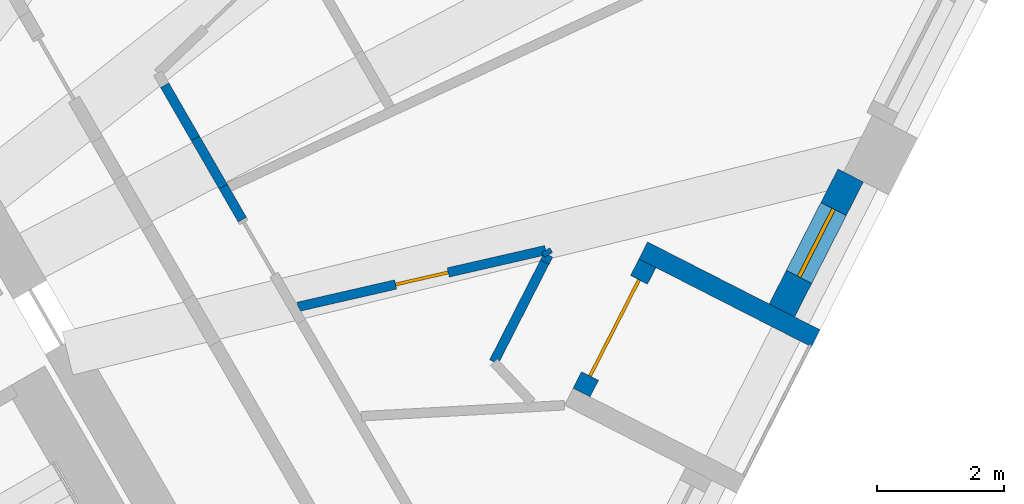
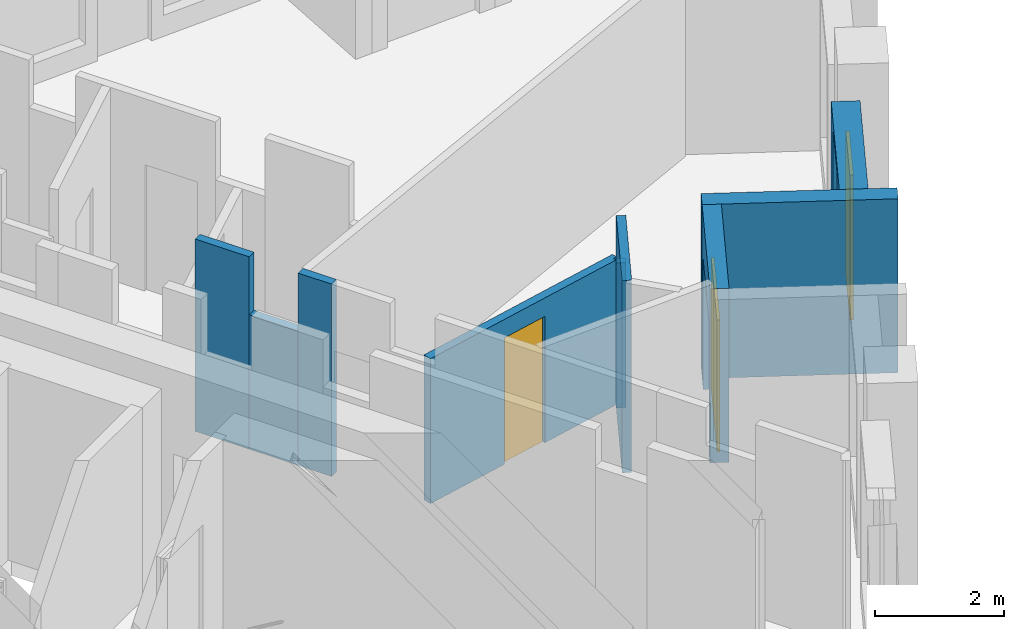
# One storey, part 6 of 13: 10 walls, 2 doors, 1 window, 3 openings.
"""IFC4 building model written with IfcOpenShell, lengths in metres."""

from ifc_helpers import new_model, si_unit, direction, frame, frame_2d, origin, place, context, subcontext, project, spatial, rectangle, extrude, material, layer, layer_set, type_object, element, fill, save


model = new_model("IFC4")

# Units and contexts
model_context = context("Model", 3, precision=1e-05, world=origin(), true_north=direction((0.0, 1.0)))
body_context = subcontext(model_context, "Body", "Model", "MODEL_VIEW")
ifc_project = project(units=[si_unit("LENGTHUNIT", "METRE"), si_unit("AREAUNIT", "SQUARE_METRE"), si_unit("VOLUMEUNIT", "CUBIC_METRE"), si_unit("PLANEANGLEUNIT", "RADIAN"), si_unit("MASSUNIT", "GRAM", prefix="KILO")], contexts=[model_context])

# Site, building, storey
site_placement = place(None, origin())
site = spatial("IfcSite", under=ifc_project, at=site_placement, CompositionType="ELEMENT")
building_placement = place(site_placement, origin())
building = spatial("IfcBuilding", under=site, at=building_placement, Name="Tramontana Tower", CompositionType="ELEMENT")
storey_placement = place(building_placement, frame((0.0, 0.0, 290.39990234375)))
storey = spatial("IfcBuildingStorey", under=building, at=storey_placement, Name="L68", CompositionType="ELEMENT", Elevation=290.39990234375)

# Wall, opening, window
ifc_material_1 = material(Name="Precast concrete 60 MPa", Category="concrete")
ifc_layer_1 = layer(ifc_material_1, 0.449951171875)
ifc_layer_set_1 = layer_set([ifc_layer_1], Name="Precast concrete 60 MPa, 450 mm")
wall_type_1 = type_object("IfcWallType", Name="EW1 Stone-faced precast wall 450", PredefinedType="SOLIDWALL", material=ifc_layer_set_1)
wall_1_placement = place(storey_placement, frame((17.796142578125, 2.27197265625, 0.0), z_axis=(0.0, 0.0, 1.0), x_axis=(0.453951830128, 0.891026226283, 0.0)))
wall_1 = element("IfcWall", 1, at=wall_1_placement, inside=storey, type_object=wall_type_1, Name="External wall L68 face 1 bay 4", PredefinedType="SOLIDWALL", context=body_context, shape_type="SweptSolid", body=[
    extrude(rectangle(XDim=2.38671875, YDim=0.449951171875, at=frame_2d((1.193359375, 0.0))), origin(), (0.0, 0.0, 1.0), 3.300048828125),
])
opening_1_placement = place(wall_1_placement, frame((0.59326171875, 0.0, 0.39990234375)))
opening_1 = element("IfcOpeningElement", 2, at=opening_1_placement, cuts=wall_1, Name="Opening N3", PredefinedType="OPENING", context=body_context, shape_type="SweptSolid", body=[
    extrude(rectangle(XDim=1.199951171875, YDim=2.75, at=frame_2d((0.60009765625, 1.375))), frame((0.0, 0.23486328125, 0.0), z_axis=(0.0, -1.0, 0.0), x_axis=(1.0, 0.0, 0.0)), (0.0, 0.0, 1.0), 0.469970703125),
])
ifc_material_2 = material(Name="Aluminum frame, double glazing unit", Category="aluminium")
window_type = type_object("IfcWindowType", Name="N3 Window 1.2 x 2.75", PartitioningType="SINGLE_PANEL", PredefinedType="WINDOW", material=ifc_material_2)
window_placement = place(opening_1_placement, origin())
window = element("IfcWindow", 3, at=window_placement, inside=storey, type_object=window_type, Name="Window N3 L68 face 1 module 12", OverallHeight=2.75, OverallWidth=1.199951171875, PartitioningType="SINGLE_PANEL", PredefinedType="WINDOW", context=body_context, shape_type="SweptSolid", body=[
    extrude(rectangle(XDim=1.199951171875, YDim=2.75, at=frame_2d((0.60009765625, 1.375))), frame((0.0, 0.030029296875, 0.0), z_axis=(0.0, -1.0, 0.0), x_axis=(1.0, 0.0, 0.0)), (0.0, 0.0, 1.0), 0.06005859375),
])
fill(opening_1, window)

# Wall, opening, door
ifc_material_3 = material(Name="Precast concrete 60 MPa", Category="concrete")
ifc_layer_2 = layer(ifc_material_3, 0.300048828125)
ifc_layer_set_2 = layer_set([ifc_layer_2], Name="LW1 Stone-faced loggia wall 300")
wall_type_2 = type_object("IfcWallType", Name="LW1 Stone-faced loggia wall 300", PredefinedType="SOLIDWALL", material=ifc_layer_set_2)
wall_2_placement = place(storey_placement, frame((14.63916015625, 0.977294921875, 0.0), z_axis=(0.0, 0.0, 1.0), x_axis=(0.45403292632, 0.890984905494, 0.0)))
wall_2 = element("IfcWall", 4, at=wall_2_placement, inside=storey, type_object=wall_type_2, Name="Loggia wall L68 G7S1.10", PredefinedType="SOLIDWALL", context=body_context, shape_type="SweptSolid", body=[
    extrude(rectangle(XDim=2.286865234375, YDim=0.300048828125, at=frame_2d((1.1435546875, 0.0))), origin(), (0.0, 0.0, 1.0), 3.300048828125),
])
opening_2_placement = place(wall_2_placement, frame((0.29345703125, 0.0, 0.0)))
opening_2 = element("IfcOpeningElement", 5, at=opening_2_placement, cuts=wall_2, Name="Opening BD-7S1-10", PredefinedType="OPENING", context=body_context, shape_type="SweptSolid", body=[
    extrude(rectangle(XDim=1.699951171875, YDim=2.5, at=frame_2d((0.85009765625, 1.25))), frame((0.0, 0.159912109375, 0.0), z_axis=(0.0, -1.0, 0.0), x_axis=(1.0, 0.0, 0.0)), (0.0, 0.0, 1.0), 0.320068359375),
])
ifc_material_4 = material(Name="Aluminum frame, double glazing unit", Category="aluminium")
door_type_1 = type_object("IfcDoorType", Name="BD3 Sliding door 1.7 x 2.5", OperationType="SLIDING_TO_LEFT", PredefinedType="DOOR", material=ifc_material_4)
door_1_placement = place(opening_2_placement, origin())
door_1 = element("IfcDoor", 6, at=door_1_placement, inside=storey, type_object=door_type_1, Name="Loggia door L68 G7S1.10", OperationType="SLIDING_TO_LEFT", OverallHeight=2.5, OverallWidth=1.699951171875, PredefinedType="DOOR", context=body_context, shape_type="SweptSolid", body=[
    extrude(rectangle(XDim=1.699951171875, YDim=2.5, at=frame_2d((0.85009765625, 1.25))), frame((0.0, 0.02490234375, 0.0), z_axis=(0.0, -1.0, 0.0), x_axis=(1.0, 0.0, 0.0)), (0.0, 0.0, 1.0), 0.050048828125),
])
fill(opening_2, door_1)

# Walls
wall_3_placement = place(storey_placement, frame((18.329345703125, 1.831787109375, 0.0), z_axis=(0.0, 0.0, 1.0), x_axis=(-0.890991233495, 0.454020508165, 0.0)))
element("IfcWall", 7, at=wall_3_placement, inside=storey, type_object=wall_type_2, Name="Loggia return L68 G7S1.10b", PredefinedType="SOLIDWALL", context=body_context, shape_type="SweptSolid", body=[
    extrude(rectangle(XDim=3.050048828125, YDim=0.300048828125, at=frame_2d((1.52490234375, 0.0))), origin(), (0.0, 0.0, 1.0), 3.300048828125),
])
ifc_material_5 = material(Name="Gypsum board partition")
ifc_layer_3 = layer(ifc_material_5, 0.14990234375)
ifc_layer_set_3 = layer_set([ifc_layer_3], Name="PARTITION 150")
wall_type_3 = type_object("IfcWallType", Name="PARTITION 150", PredefinedType="PARTITIONING", material=ifc_layer_set_3)
wall_4_placement = place(storey_placement, frame((8.071044921875, 5.820556640625, 0.0), z_axis=(0.0, 0.0, 1.0), x_axis=(0.500071713487, -0.865983996024, 0.0)))
element("IfcWall", 8, at=wall_4_placement, inside=storey, type_object=wall_type_3, Name="Wall v71-pw33-1", PredefinedType="PARTITIONING", context=body_context, shape_type="SweptSolid", body=[
    extrude(rectangle(XDim=0.968017578125, YDim=0.14990234375, at=frame_2d((0.48388671875, 0.0))), origin(), (0.0, 0.0, 1.0), 3.650146484375),
])
wall_5_placement = place(storey_placement, frame((8.55517578125, 4.982177734375, 0.0), z_axis=(0.0, 0.0, 1.0), x_axis=(0.499947731247, -0.86605557906, 0.0)))
element("IfcWall", 9, at=wall_5_placement, inside=storey, type_object=wall_type_3, Name="Wall v71-pw33-2", PredefinedType="PARTITIONING", context=body_context, shape_type="SweptSolid", body=[
    extrude(rectangle(XDim=0.87548828125, YDim=0.14990234375, at=frame_2d((0.437744140625, 0.0))), origin(), (0.0, 0.0, 1.0), 2.550048828125),
])
wall_6_placement = place(storey_placement, frame((8.992919921875, 4.223876953125, 0.0), z_axis=(0.0, 0.0, 1.0), x_axis=(0.499933044277, -0.866064057238, 0.0)))
element("IfcWall", 10, at=wall_6_placement, inside=storey, type_object=wall_type_3, Name="Wall v71-pw33-3", PredefinedType="PARTITIONING", context=body_context, shape_type="SweptSolid", body=[
    extrude(rectangle(XDim=0.60205078125, YDim=0.14990234375, at=frame_2d((0.301025390625, 0.0))), origin(), (0.0, 0.0, 1.0), 3.650146484375),
])

# Wall, opening, door
wall_7_placement = place(storey_placement, frame((14.07470703125, 3.221923828125, 0.0), z_axis=(0.0, 0.0, 1.0), x_axis=(-0.974783486008, -0.223152762489, 0.0)))
wall_7 = element("IfcWall", 11, at=wall_7_placement, inside=storey, type_object=wall_type_3, Name="Wall v71-pw34-0", PredefinedType="PARTITIONING", context=body_context, shape_type="SweptSolid", body=[
    extrude(rectangle(XDim=4.001953125, YDim=0.14990234375, at=frame_2d((2.0009765625, 0.0))), origin(), (0.0, 0.0, 1.0), 2.75),
])
opening_3_placement = place(wall_7_placement, frame((1.575927734375, 0.0, 0.0)))
opening_3 = element("IfcOpeningElement", 12, at=opening_3_placement, cuts=wall_7, Name="Opening B7B-19", PredefinedType="OPENING", context=body_context, shape_type="SweptSolid", body=[
    extrude(rectangle(XDim=0.85009765625, YDim=2.39990234375, at=frame_2d((0.425048828125, 1.199951171875))), frame((0.0, 0.0849609375, 0.0), z_axis=(0.0, -1.0, 0.0), x_axis=(1.0, 0.0, 0.0)), (0.0, 0.0, 1.0), 0.169921875),
])
ifc_material_6 = material(Name="Painted timber", Category="wood")
door_type_2 = type_object("IfcDoorType", Name="DOOR BATH 850", OperationType="SINGLE_SWING_LEFT", PredefinedType="DOOR", material=ifc_material_6)
door_2_placement = place(opening_3_placement, origin())
door_2 = element("IfcDoor", 13, at=door_2_placement, inside=storey, type_object=door_type_2, Name="Door B7B-19", OperationType="SINGLE_SWING_LEFT", OverallHeight=2.39990234375, OverallWidth=0.85009765625, PredefinedType="DOOR", context=body_context, shape_type="SweptSolid", body=[
    extrude(rectangle(XDim=0.85009765625, YDim=2.39990234375, at=frame_2d((0.425048828125, 1.199951171875))), frame((0.0, 0.02490234375, 0.0), z_axis=(0.0, -1.0, 0.0), x_axis=(1.0, 0.0, 0.0)), (0.0, 0.0, 1.0), 0.050048828125),
])
fill(opening_3, door_2)

# Walls
wall_8_placement = place(storey_placement, frame((14.07470703125, 3.221923828125, 0.0), z_axis=(0.0, 0.0, 1.0), x_axis=(0.498899561949, -0.866659810472, 0.0)))
element("IfcWall", 14, at=wall_8_placement, inside=storey, type_object=wall_type_3, Name="Wall v71-pw40-0", PredefinedType="PARTITIONING", context=body_context, shape_type="SweptSolid", body=[
    extrude(rectangle(XDim=0.085693359375, YDim=0.14990234375, at=frame_2d((0.04296875, 0.0))), origin(), (0.0, 0.0, 1.0), 2.75),
])
wall_9_placement = place(storey_placement, frame((14.117431640625, 3.147705078125, 0.0), z_axis=(0.0, 0.0, 1.0), x_axis=(-0.453815684732, -0.891095575284, 0.0)))
element("IfcWall", 15, at=wall_9_placement, inside=storey, type_object=wall_type_3, Name="Wall v71-pw41-0", PredefinedType="PARTITIONING", context=body_context, shape_type="SweptSolid", body=[
    extrude(rectangle(XDim=0.1328125, YDim=0.14990234375, at=frame_2d((0.06640625, 0.0))), origin(), (0.0, 0.0, 1.0), 2.75),
])
wall_10_placement = place(storey_placement, frame((14.05712890625, 3.029296875, 0.0), z_axis=(0.0, 0.0, 1.0), x_axis=(-0.454017099158, -0.890992970608, 0.0)))
element("IfcWall", 16, at=wall_10_placement, inside=storey, type_object=wall_type_3, Name="Wall v71-pw41-1", PredefinedType="PARTITIONING", context=body_context, shape_type="SweptSolid", body=[
    extrude(rectangle(XDim=1.76220703125, YDim=0.14990234375, at=frame_2d((0.881103515625, 0.0))), origin(), (0.0, 0.0, 1.0), 3.650146484375),
])

save(model, "model.ifc")
